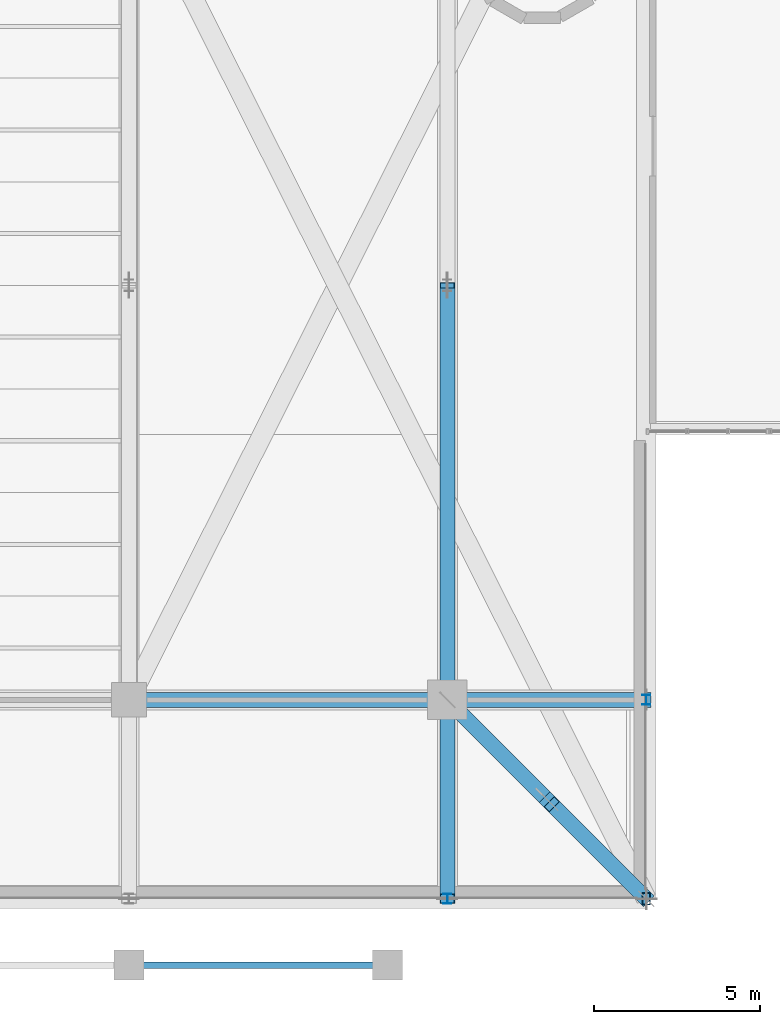
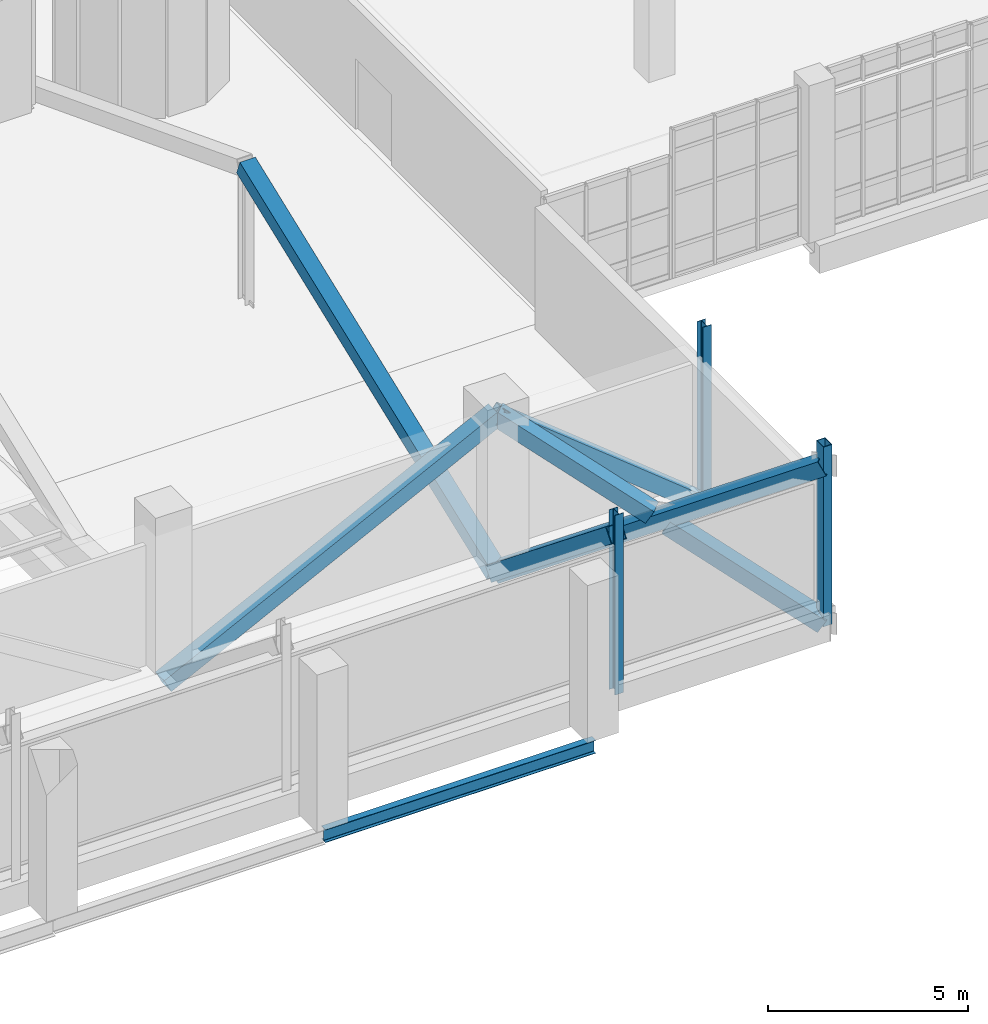
# One storey, part 51 of 127: 10 members, 1 beam.
"""IFC4 building model written with IfcOpenShell, lengths in metres."""

from ifc_helpers import new_model, si_unit, derived_unit, direction, frame, origin, origin_2d, place, context, subcontext, project, spatial, hollow_rectangle, i_section, extrude, material, material_profile, profile_set, type_object, element, save


model = new_model("IFC4")

# Units and contexts
model_context = context("Model", 3, precision=1e-05, world=origin(), true_north=direction((0.0, 1.0)))
body_context = subcontext(model_context, "Body", "Model", "MODEL_VIEW")
ifc_project = project(units=[si_unit("LENGTHUNIT", "METRE"), si_unit("AREAUNIT", "SQUARE_METRE"), si_unit("VOLUMEUNIT", "CUBIC_METRE"), si_unit("PLANEANGLEUNIT", "RADIAN"), si_unit("MASSUNIT", "GRAM", prefix="KILO"), derived_unit("THERMALTRANSMITTANCEUNIT", [(si_unit("POWERUNIT", "WATT"), 1), (si_unit("LENGTHUNIT", "METRE"), -2), (si_unit("THERMODYNAMICTEMPERATUREUNIT", "KELVIN"), -1)])], contexts=[model_context])

# Site, building, storey
site_placement = place(None, origin())
site = spatial("IfcSite", under=ifc_project, at=site_placement, CompositionType="ELEMENT")
building_placement = place(site_placement, origin())
building = spatial("IfcBuilding", under=site, at=building_placement, Name="Nallur Shell Playhouse", CompositionType="ELEMENT")
storey_placement = place(building_placement, frame((0.0, 0.0, 5.39990234375)))
storey = spatial("IfcBuildingStorey", under=building, at=storey_placement, Name="L02", CompositionType="ELEMENT", Elevation=5.39990234375)

# Beam
ifc_material = material(Name="Steel E350", Category="steel")
ifc_material_profile_1 = material_profile(ifc_material, i_section(OverallWidth=0.199951171875, OverallDepth=0.39990234375, WebThickness=0.008544921875, FlangeThickness=0.012939453125, FilletRadius=0.012939453125, at=origin_2d()), Name="ISWB 400")
ifc_profile_set_1 = profile_set([ifc_material_profile_1], Name="Steel E350")
beam_type = type_object("IfcBeamType", Name="BM-ST-ISWB400", PredefinedType="BEAM", material=ifc_profile_set_1)
beam_placement = place(storey_placement, frame((103.0, 8.0, -0.47998046875), z_axis=(1.0, 0.0, 0.0), x_axis=(0.0, 1.0, 0.0)))
element("IfcBeam", 1, at=beam_placement, inside=storey, type_object=beam_type, Name="L02 girder X-A-325", PredefinedType="BEAM", context=body_context, shape_type="SweptSolid", body=[
    extrude(i_section(OverallWidth=0.199951171875, OverallDepth=0.39990234375, WebThickness=0.008544921875, FlangeThickness=0.012939453125, FilletRadius=0.012939453125, at=origin_2d()), origin(), (0.0, 0.0, 1.0), 7.800048828125),
])

# Members
ifc_material_profile_2 = material_profile(ifc_material, i_section(OverallWidth=0.25, OverallDepth=0.300048828125, WebThickness=0.009521484375, FlangeThickness=0.010498046875, FilletRadius=0.010986328125, at=origin_2d()), Name="ISHB 300")
ifc_profile_set_2 = profile_set([ifc_material_profile_2], Name="Steel E350")
member_type_1 = type_object("IfcMemberType", Name="MB-FASCIA-POST", PredefinedType="POST", material=ifc_profile_set_2)
for number, where, z_axis, x_axis, name in (
    (2, (112.60009765625, 10.0, -0.679931640625), (0.0, 0.0, 1.0), (1.0, 0.0, 0.0), "Cantilever truss fascia post POST-GB-L02-07"),
    (3, (118.60009765625, 16.0, -0.679931640625), (0.0, 0.0, 1.0), (1.0, 0.0, 0.0), "Cantilever truss fascia post POST-GB-L02-14"),
):
    element("IfcMember", number, at=place(storey_placement, frame(where, z_axis=z_axis, x_axis=x_axis)), inside=storey, type_object=member_type_1, Name=name, PredefinedType="POST", context=body_context, shape_type="SweptSolid", body=[
        extrude(i_section(OverallWidth=0.25, OverallDepth=0.300048828125, WebThickness=0.009521484375, FlangeThickness=0.010498046875, FilletRadius=0.010986328125, at=origin_2d()), origin(), (0.0, 0.0, 1.0), 5.47998046875),
    ])
ifc_material_profile_3 = material_profile(ifc_material, hollow_rectangle(XDim=0.25, YDim=0.35009765625, WallThickness=0.01611328125, at=origin_2d()), Name="RHS 350x250x16")
ifc_profile_set_3 = profile_set([ifc_material_profile_3], Name="Steel E350")
member_type_2 = type_object("IfcMemberType", Name="MB-FASCIA-RHS", PredefinedType="POST", material=ifc_profile_set_3)
member_1_placement = place(storey_placement, frame((118.60009765625, 10.0, -0.679931640625), z_axis=(0.0, 0.0, 1.0), x_axis=(1.0, 0.0, 0.0)))
element("IfcMember", 4, at=member_1_placement, inside=storey, type_object=member_type_2, Name="Cantilever truss fascia post POST-GB-L02-08", PredefinedType="POST", context=body_context, shape_type="SweptSolid", body=[
    extrude(hollow_rectangle(XDim=0.25, YDim=0.35009765625, WallThickness=0.01611328125, at=origin_2d()), origin(), (0.0, 0.0, 1.0), 5.47998046875),
])
ifc_material_profile_4 = material_profile(ifc_material, hollow_rectangle(XDim=0.449951171875, YDim=0.449951171875, WallThickness=0.02001953125, at=origin_2d()), Name="BOX 450x450x20")
ifc_profile_set_4 = profile_set([ifc_material_profile_4], Name="Steel E350")
member_type_3 = type_object("IfcMemberType", Name="MB-TT-DIAG", PredefinedType="BRACE", material=ifc_profile_set_4)
member_2_placement = place(storey_placement, frame((103.0, 16.0, -0.679931640625), z_axis=(0.893680494972, 0.0, 0.448703881091), x_axis=(0.0, 1.0, 0.0)))
element("IfcMember", 5, at=member_2_placement, inside=storey, type_object=member_type_3, Name="Transfer truss TT-1 diagonal 6", PredefinedType="BRACE", context=body_context, shape_type="SweptSolid", body=[
    extrude(hollow_rectangle(XDim=0.449951171875, YDim=0.449951171875, WallThickness=0.02001953125, at=origin_2d()), origin(), (0.0, 0.0, 1.0), 10.7421875),
])
for number, where, z_axis, x_axis, name in (
    (6, (112.60009765625, 16.0, 4.14013671875), (0.779595223506, 0.0, -0.626283711657), (0.0, 1.0, 0.0), "Transfer truss TT-1 diagonal 7"),
    (7, (112.60009765625, 10.0, 4.14013671875), (0.0, 0.779595223506, -0.626283711657), (-1.0, 0.0, 0.0), "Transfer truss TT-8 diagonal 1"),
):
    element("IfcMember", number, at=place(storey_placement, frame(where, z_axis=z_axis, x_axis=x_axis)), inside=storey, type_object=member_type_3, Name=name, PredefinedType="BRACE", context=body_context, shape_type="SweptSolid", body=[
        extrude(hollow_rectangle(XDim=0.449951171875, YDim=0.449951171875, WallThickness=0.02001953125, at=origin_2d()), origin(), (0.0, 0.0, 1.0), 7.6962890625),
    ])
member_3_placement = place(storey_placement, frame((112.60009765625, 16.0, -0.679931640625), z_axis=(0.0, 0.933035744056, 0.359783685447), x_axis=(-1.0, 0.0, 0.0)))
element("IfcMember", 8, at=member_3_placement, inside=storey, type_object=member_type_3, Name="Transfer truss TT-8 diagonal 2", PredefinedType="BRACE", context=body_context, shape_type="SweptSolid", body=[
    extrude(hollow_rectangle(XDim=0.449951171875, YDim=0.449951171875, WallThickness=0.02001953125, at=origin_2d()), origin(), (0.0, 0.0, 1.0), 13.397216796875),
])
member_4_placement = place(storey_placement, frame((112.60009765625, 16.0, -0.679931640625), z_axis=(0.614833302554, -0.614833302554, 0.493923091322), x_axis=(0.707106781187, 0.707106781187, 0.0)))
element("IfcMember", 9, at=member_4_placement, inside=storey, type_object=member_type_3, Name="Corner transfer TTC-SE continuous diagonal strut", PredefinedType="BRACE", context=body_context, shape_type="SweptSolid", body=[
    extrude(hollow_rectangle(XDim=0.449951171875, YDim=0.449951171875, WallThickness=0.02001953125, at=origin_2d()), origin(), (0.0, 0.0, 1.0), 9.7587890625),
])
member_5_placement = place(storey_placement, frame((112.60009765625, 16.0, 4.14013671875), z_axis=(0.614824935182, -0.614824935182, -0.493943922077), x_axis=(0.707106781187, 0.707106781187, 0.0)))
element("IfcMember", 10, at=member_5_placement, inside=storey, type_object=member_type_3, Name="Corner transfer TTC-SE split diagonal tie 1", PredefinedType="BRACE", context=body_context, shape_type="SweptSolid", body=[
    extrude(hollow_rectangle(XDim=0.449951171875, YDim=0.449951171875, WallThickness=0.02001953125, at=origin_2d()), origin(), (0.0, 0.0, 1.0), 4.63916015625),
])
member_6_placement = place(storey_placement, frame((115.74755859375, 12.852294921875, 1.611572265625), z_axis=(0.614857666209, -0.614805042307, -0.493927940349), x_axis=(0.707076519625, 0.707137041453, 0.0)))
element("IfcMember", 11, at=member_6_placement, inside=storey, type_object=member_type_3, Name="Corner transfer TTC-SE split diagonal tie 2", PredefinedType="BRACE", context=body_context, shape_type="SweptSolid", body=[
    extrude(hollow_rectangle(XDim=0.449951171875, YDim=0.449951171875, WallThickness=0.02001953125, at=origin_2d()), origin(), (0.0, 0.0, 1.0), 4.639404296875),
])

save(model, "model.ifc")
